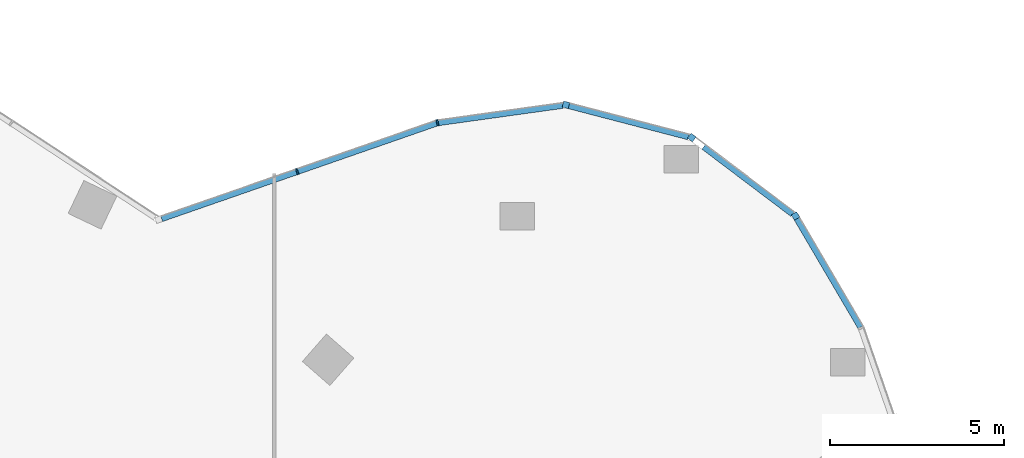
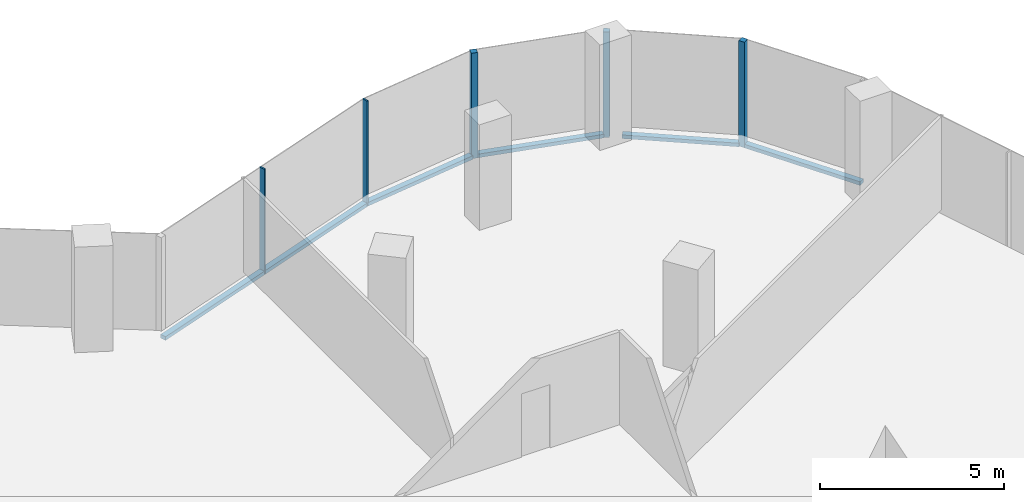
# One storey, part 11 of 24: 10 members, 5 elements without a shape of their own.
"""IFC4 building model written with IfcOpenShell, lengths in metres."""

from ifc_helpers import new_model, si_unit, direction, frame, origin, origin_2d, place, context, subcontext, project, spatial, rectangle, extrude, material, material_profile, profile_set, type_object, element, aggregate, save


model = new_model("IFC4")

# Units and contexts
model_context = context("Model", 3, precision=1e-05, world=origin(), true_north=direction((0.0, 1.0)))
body_context = subcontext(model_context, "Body", "Model", "MODEL_VIEW")
ifc_project = project(units=[si_unit("LENGTHUNIT", "METRE"), si_unit("AREAUNIT", "SQUARE_METRE"), si_unit("VOLUMEUNIT", "CUBIC_METRE"), si_unit("PLANEANGLEUNIT", "RADIAN"), si_unit("MASSUNIT", "GRAM", prefix="KILO")], contexts=[model_context])

# Site, building, storey
site_placement = place(None, origin())
site = spatial("IfcSite", under=ifc_project, at=site_placement, CompositionType="ELEMENT")
building_placement = place(site_placement, origin())
building = spatial("IfcBuilding", under=site, at=building_placement, Name="Orlundy Tower", CompositionType="ELEMENT")
storey_placement = place(building_placement, frame((0.0, 0.0, 242.5)))
storey = spatial("IfcBuildingStorey", under=building, at=storey_placement, Name="L64", CompositionType="ELEMENT", Elevation=242.5)

# Curtain wall, member
ifc_material_1 = material(Name="Aluminium bronze anodised", Category="aluminium")
curtain_wall_type = type_object("IfcCurtainWallType", Name="CW1 wall", PredefinedType="NOTDEFINED", material=ifc_material_1)
curtain_wall_1_placement = place(storey_placement, origin())
curtain_wall_1 = element("IfcCurtainWall", 1, at=curtain_wall_1_placement, inside=storey, type_object=curtain_wall_type, Name="CW1 run 020", PredefinedType="NOTDEFINED")
ifc_material_2 = material(Name="Aluminium bronze anodised", Category="aluminium")
ifc_material_profile_1 = material_profile(ifc_material_2, rectangle(XDim=0.179931640625, YDim=0.179931640625, at=origin_2d()), Name="CW1 corner post 180x180")
ifc_profile_set_1 = profile_set([ifc_material_profile_1], Name="Aluminium bronze anodised")
member_type_1 = type_object("IfcMemberType", Name="CW1 corner post 180x180", PredefinedType="MULLION", material=ifc_profile_set_1)
member_1_placement = place(storey_placement, frame((26.392333984375, 29.671630859375, -0.39990234375), z_axis=(0.0, 0.0, 1.0), x_axis=(0.251982569313, 0.967731773149, 0.0)))
member_1 = element("IfcMember", 2, at=member_1_placement, type_object=member_type_1, Name="CW1 mullion 42", PredefinedType="MULLION", context=body_context, shape_type="SweptSolid", body=[
    extrude(rectangle(XDim=0.179931640625, YDim=0.179931640625, at=origin_2d()), origin(), (0.0, 0.0, 1.0), 3.5),
])

curtain_wall_2_placement = place(storey_placement, origin())
curtain_wall_2 = element("IfcCurtainWall", 3, at=curtain_wall_2_placement, inside=storey, type_object=curtain_wall_type, Name="CW1 run 021", PredefinedType="NOTDEFINED")
member_2_placement = place(storey_placement, frame((30.013916015625, 28.728515625, -0.39990234375), z_axis=(0.0, 0.0, 1.0), x_axis=(0.602974291826, 0.797760617853, 0.0)))
member_2 = element("IfcMember", 4, at=member_2_placement, type_object=member_type_1, Name="CW1 mullion 43", PredefinedType="MULLION", context=body_context, shape_type="SweptSolid", body=[
    extrude(rectangle(XDim=0.179931640625, YDim=0.179931640625, at=origin_2d()), origin(), (0.0, 0.0, 1.0), 3.5),
])

curtain_wall_3_placement = place(storey_placement, origin())
curtain_wall_3 = element("IfcCurtainWall", 5, at=curtain_wall_3_placement, inside=storey, type_object=curtain_wall_type, Name="CW1 run 022", PredefinedType="NOTDEFINED")
member_3_placement = place(storey_placement, frame((32.99951171875, 26.471923828125, -0.39990234375), z_axis=(0.0, 0.0, 1.0), x_axis=(0.862287730604, 0.506418670322, 0.0)))
member_3 = element("IfcMember", 6, at=member_3_placement, type_object=member_type_1, Name="CW1 mullion 44", PredefinedType="MULLION", context=body_context, shape_type="SweptSolid", body=[
    extrude(rectangle(XDim=0.179931640625, YDim=0.179931640625, at=origin_2d()), origin(), (0.0, 0.0, 1.0), 3.5),
])

curtain_wall_4_placement = place(storey_placement, origin())
curtain_wall_4 = element("IfcCurtainWall", 7, at=curtain_wall_4_placement, inside=storey, type_object=curtain_wall_type, Name="CW1 run 018", PredefinedType="NOTDEFINED")
ifc_material_3 = material(Name="Aluminium bronze anodised", Category="aluminium")
ifc_material_profile_2 = material_profile(ifc_material_3, rectangle(XDim=0.179931640625, YDim=0.050048828125, at=origin_2d()), Name="CW1 mullion 50x180")
ifc_profile_set_2 = profile_set([ifc_material_profile_2], Name="Aluminium bronze anodised")
member_type_2 = type_object("IfcMemberType", Name="CW1 mullion 50x180", PredefinedType="MULLION", material=ifc_profile_set_2)
member_4_placement = place(storey_placement, frame((18.656005859375, 27.75341796875, -0.39990234375), z_axis=(0.0, 0.0, 1.0), x_axis=(-0.328297862498, 0.94457424985, 0.0)))
member_4 = element("IfcMember", 8, at=member_4_placement, type_object=member_type_2, Name="CW1 mullion 40", PredefinedType="MULLION", context=body_context, shape_type="SweptSolid", body=[
    extrude(rectangle(XDim=0.179931640625, YDim=0.050048828125, at=origin_2d()), origin(), (0.0, 0.0, 1.0), 3.5),
])

curtain_wall_5_placement = place(storey_placement, origin())
curtain_wall_5 = element("IfcCurtainWall", 9, at=curtain_wall_5_placement, inside=storey, type_object=curtain_wall_type, Name="CW1 run 019", PredefinedType="NOTDEFINED")
member_5_placement = place(storey_placement, frame((22.69384765625, 29.156982421875, -0.39990234375), z_axis=(0.0, 0.0, 1.0), x_axis=(-0.234191728403, 0.972190431113, 0.0)))
member_5 = element("IfcMember", 10, at=member_5_placement, type_object=member_type_2, Name="CW1 mullion 41", PredefinedType="MULLION", context=body_context, shape_type="SweptSolid", body=[
    extrude(rectangle(XDim=0.179931640625, YDim=0.050048828125, at=origin_2d()), origin(), (0.0, 0.0, 1.0), 3.5),
])

# Member
ifc_material_4 = material(Name="Aluminium bronze anodised", Category="aluminium")
ifc_material_profile_3 = material_profile(ifc_material_4, rectangle(XDim=0.179931640625, YDim=0.1201171875, at=origin_2d()), Name="CW1 transom 180x120")
ifc_profile_set_3 = profile_set([ifc_material_profile_3], Name="Aluminium bronze anodised")
member_type_3 = type_object("IfcMemberType", Name="CW1 transom 180x120", PredefinedType="USERDEFINED", material=ifc_profile_set_3)
member_6_placement = place(storey_placement, frame((14.75341796875, 26.397216796875, -0.340087890625), z_axis=(0.944577721122, 0.328287874828, 0.0), x_axis=(-0.328287874828, 0.944577721122, 0.0)))
member_6 = element("IfcMember", 11, at=member_6_placement, type_object=member_type_3, Name="CW1 transom", ObjectType="TRANSOM", PredefinedType="USERDEFINED", context=body_context, shape_type="SweptSolid", body=[
    extrude(rectangle(XDim=0.179931640625, YDim=0.1201171875, at=origin_2d()), origin(), (0.0, 0.0, 1.0), 8.38134765625),
])

aggregate(curtain_wall_4, [member_4, member_6])

member_7_placement = place(storey_placement, frame((22.71875, 29.160400390625, -0.340087890625), z_axis=(0.990455393576, 0.137833643701, 0.0), x_axis=(-0.137833643701, 0.990455393576, 0.0)))
member_7 = element("IfcMember", 12, at=member_7_placement, type_object=member_type_3, Name="CW1 transom", ObjectType="TRANSOM", PredefinedType="USERDEFINED", context=body_context, shape_type="SweptSolid", body=[
    extrude(rectangle(XDim=0.179931640625, YDim=0.1201171875, at=origin_2d()), origin(), (0.0, 0.0, 1.0), 3.611572265625),
])

aggregate(curtain_wall_5, [member_5, member_7])

member_8_placement = place(storey_placement, frame((26.4794921875, 29.64892578125, -0.340087890625), z_axis=(0.967733131764, -0.251977351532, 0.0), x_axis=(0.251977351532, 0.967733131764, 0.0)))
member_8 = element("IfcMember", 13, at=member_8_placement, type_object=member_type_3, Name="CW1 transom", ObjectType="TRANSOM", PredefinedType="USERDEFINED", context=body_context, shape_type="SweptSolid", body=[
    extrude(rectangle(XDim=0.179931640625, YDim=0.1201171875, at=origin_2d()), origin(), (0.0, 0.0, 1.0), 3.554931640625),
])

aggregate(curtain_wall_1, [member_1, member_8])

member_9_placement = place(storey_placement, frame((30.362060546875, 28.465576171875, -0.340087890625), z_axis=(0.797757523546, -0.602978385704, 0.0), x_axis=(0.602978385704, 0.797757523546, 0.0)))
member_9 = element("IfcMember", 14, at=member_9_placement, type_object=member_type_3, Name="CW1 transom", ObjectType="TRANSOM", PredefinedType="USERDEFINED", context=body_context, shape_type="SweptSolid", body=[
    extrude(rectangle(XDim=0.179931640625, YDim=0.1201171875, at=origin_2d()), origin(), (0.0, 0.0, 1.0), 3.208740234375),
])

aggregate(curtain_wall_2, [member_2, member_9])

member_10_placement = place(storey_placement, frame((33.045166015625, 26.394287109375, -0.340087890625), z_axis=(0.506444950647, -0.862272295719, 0.0), x_axis=(0.862272295719, 0.506444950647, 0.0)))
member_10 = element("IfcMember", 15, at=member_10_placement, type_object=member_type_3, Name="CW1 transom", ObjectType="TRANSOM", PredefinedType="USERDEFINED", context=body_context, shape_type="SweptSolid", body=[
    extrude(rectangle(XDim=0.179931640625, YDim=0.1201171875, at=origin_2d()), origin(), (0.0, 0.0, 1.0), 3.617919921875),
])

aggregate(curtain_wall_3, [member_3, member_10])

save(model, "model.ifc")
